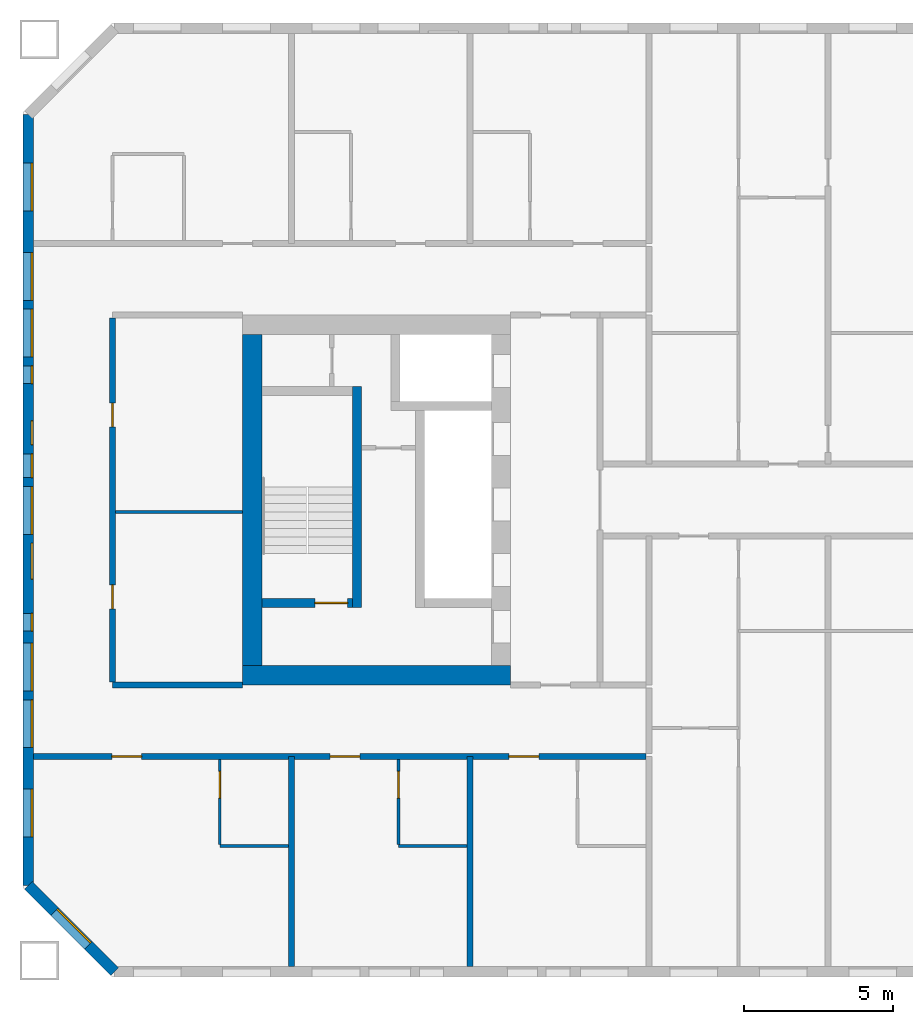
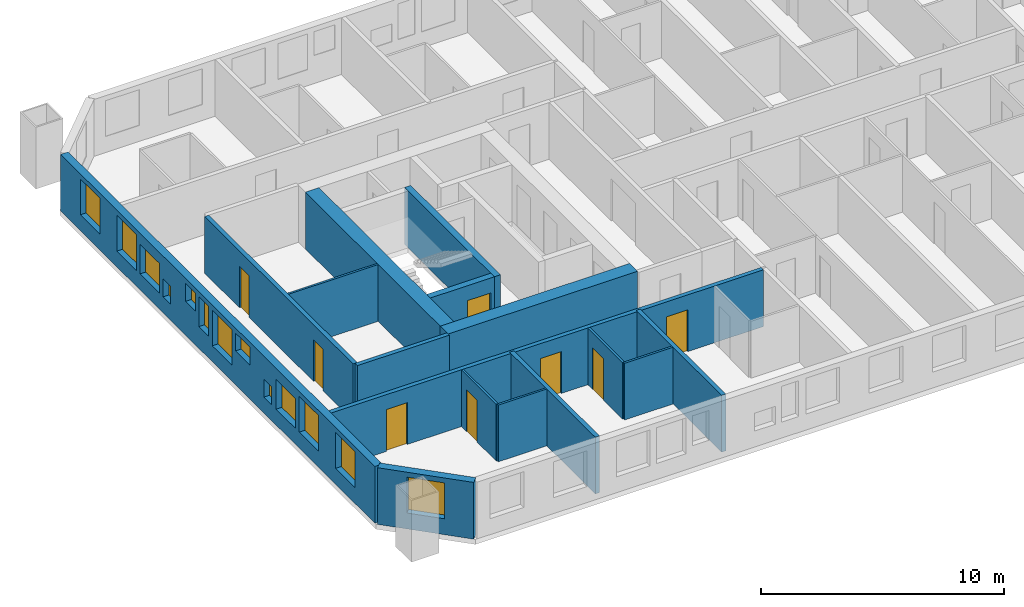
# One storey, part 2 of 17: 16 walls, 13 windows, 8 doors, 21 openings.
"""IFC4 building model written with IfcOpenShell, lengths in metres."""

from ifc_helpers import new_model, si_unit, direction, frame, frame_2d, origin, place, context, subcontext, project, spatial, rectangle, extrude, material, layer, layer_set, type_object, element, fill, save


model = new_model("IFC4")

# Units and contexts
model_context = context("Model", 3, precision=1e-05, world=origin(), true_north=direction((0.0, 1.0)))
body_context = subcontext(model_context, "Body", "Model", "MODEL_VIEW")
ifc_project = project(units=[si_unit("LENGTHUNIT", "METRE"), si_unit("AREAUNIT", "SQUARE_METRE"), si_unit("VOLUMEUNIT", "CUBIC_METRE"), si_unit("PLANEANGLEUNIT", "RADIAN"), si_unit("MASSUNIT", "GRAM", prefix="KILO")], contexts=[model_context])

# Site, building, storey
site_placement = place(None, origin())
site = spatial("IfcSite", under=ifc_project, at=site_placement, CompositionType="ELEMENT")
building_placement = place(site_placement, origin())
building = spatial("IfcBuilding", under=site, at=building_placement, Name="Tuart Gate Housing", CompositionType="ELEMENT")
storey_placement = place(building_placement, frame((0.0, 0.0, 105.699951171875)))
storey = spatial("IfcBuildingStorey", under=building, at=storey_placement, Name="L29", CompositionType="ELEMENT", Elevation=105.699951171875)

# Wall, opening, window
ifc_material_1 = material(Name="Brick", Category="masonry")
ifc_layer_1 = layer(ifc_material_1, 0.360107421875)
ifc_layer_set_1 = layer_set([ifc_layer_1], Name="Brick pier and spandrel wall 360")
wall_type_1 = type_object("IfcWallType", Name="Brick pier and spandrel wall 360", PredefinedType="STANDARD", material=ifc_layer_set_1)
wall_1_placement = place(storey_placement, frame((25.179931640625, 57.07470703125, 0.0), z_axis=(0.0, 0.0, 1.0), x_axis=(0.707106781187, -0.707106781187, 0.0)))
wall_1 = element("IfcWall", 1, at=wall_1_placement, inside=storey, type_object=wall_type_1, Name="External wall A-SW L29", PredefinedType="STANDARD", context=body_context, shape_type="SweptSolid", body=[
    extrude(rectangle(XDim=4.09375, YDim=0.360107421875, at=frame_2d((2.046875, 0.0))), origin(), (0.0, 0.0, 1.0), 2.85009765625),
])
opening_1_placement = place(wall_1_placement, frame((1.2470703125, 0.0, 0.800048828125)))
opening_1 = element("IfcOpeningElement", 2, at=opening_1_placement, cuts=wall_1, Name="Opening W1", PredefinedType="OPENING", context=body_context, shape_type="SweptSolid", body=[
    extrude(rectangle(XDim=1.60009765625, YDim=1.800048828125, at=frame_2d((0.800048828125, 0.89990234375))), frame((0.0, 0.18994140625, 0.0), z_axis=(0.0, -1.0, 0.0), x_axis=(1.0, 0.0, 0.0)), (0.0, 0.0, 1.0), 0.380126953125),
])
ifc_material_2 = material(Name="Aluminium frame with clear glass", Category="aluminium")
window_type_1 = type_object("IfcWindowType", Name="Punched window 1600 x 1800", PartitioningType="SINGLE_PANEL", PredefinedType="WINDOW", material=ifc_material_2)
window_1_placement = place(opening_1_placement, origin())
window_1 = element("IfcWindow", 3, at=window_1_placement, inside=storey, type_object=window_type_1, Name="Window W1", OverallHeight=1.800048828125, OverallWidth=1.60009765625, PartitioningType="SINGLE_PANEL", PredefinedType="WINDOW", context=body_context, shape_type="SweptSolid", body=[
    extrude(rectangle(XDim=1.60009765625, YDim=1.800048828125, at=frame_2d((0.800048828125, 0.89990234375))), frame((0.0, 0.150146484375, 0.0), z_axis=(0.0, -1.0, 0.0), x_axis=(1.0, 0.0, 0.0)), (0.0, 0.0, 1.0), 0.06005859375),
])
fill(opening_1, window_1)

# Wall, openings, windows
wall_2_placement = place(storey_placement, frame((25.179931640625, 82.92529296875, 0.0), z_axis=(0.0, 0.0, 1.0), x_axis=(0.0, -1.0, 0.0)))
wall_2 = element("IfcWall", 4, at=wall_2_placement, inside=storey, type_object=wall_type_1, Name="External wall A-W L29", PredefinedType="STANDARD", context=body_context, shape_type="SweptSolid", body=[
    extrude(rectangle(XDim=25.850830078125, YDim=0.360107421875, at=frame_2d((12.92529296875, 0.0))), origin(), (0.0, 0.0, 1.0), 2.85009765625),
])
opening_2_placement = place(wall_2_placement, frame((1.62548828125, 0.0, 0.800048828125)))
opening_2 = element("IfcOpeningElement", 5, at=opening_2_placement, cuts=wall_2, Name="Opening W1", PredefinedType="OPENING", context=body_context, shape_type="SweptSolid", body=[
    extrude(rectangle(XDim=1.60009765625, YDim=1.800048828125, at=frame_2d((0.800048828125, 0.89990234375))), frame((0.0, 0.18994140625, 0.0), z_axis=(0.0, -1.0, 0.0), x_axis=(1.0, 0.0, 0.0)), (0.0, 0.0, 1.0), 0.380126953125),
])
opening_3_placement = place(wall_2_placement, frame((4.62548828125, 0.0, 0.800048828125)))
opening_3 = element("IfcOpeningElement", 6, at=opening_3_placement, cuts=wall_2, Name="Opening W1", PredefinedType="OPENING", context=body_context, shape_type="SweptSolid", body=[
    extrude(rectangle(XDim=1.60009765625, YDim=1.800048828125, at=frame_2d((0.800048828125, 0.89990234375))), frame((0.0, 0.18994140625, 0.0), z_axis=(0.0, -1.0, 0.0), x_axis=(1.0, 0.0, 0.0)), (0.0, 0.0, 1.0), 0.380126953125),
])
opening_4_placement = place(wall_2_placement, frame((6.525390625, 0.0, 0.800048828125)))
opening_4 = element("IfcOpeningElement", 7, at=opening_4_placement, cuts=wall_2, Name="Opening W1F", PredefinedType="OPENING", context=body_context, shape_type="SweptSolid", body=[
    extrude(rectangle(XDim=1.60009765625, YDim=1.5, at=frame_2d((0.800048828125, 0.75))), frame((0.0, 0.18994140625, 0.0), z_axis=(0.0, -1.0, 0.0), x_axis=(1.0, 0.0, 0.0)), (0.0, 0.0, 1.0), 0.380126953125),
])
opening_5_placement = place(wall_2_placement, frame((8.42529296875, 0.0, 0.800048828125)))
opening_5 = element("IfcOpeningElement", 8, at=opening_5_placement, cuts=wall_2, Name="Opening W1W", PredefinedType="OPENING", context=body_context, shape_type="SweptSolid", body=[
    extrude(rectangle(XDim=0.60009765625, YDim=0.89990234375, at=frame_2d((0.300048828125, 0.449951171875))), frame((0.0, 0.18994140625, 0.0), z_axis=(0.0, -1.0, 0.0), x_axis=(1.0, 0.0, 0.0)), (0.0, 0.0, 1.0), 0.380126953125),
])
opening_6_placement = place(wall_2_placement, frame((10.275390625, 0.0, 1.699951171875)))
opening_6 = element("IfcOpeningElement", 9, at=opening_6_placement, cuts=wall_2, Name="Opening W1V", PredefinedType="OPENING", context=body_context, shape_type="SweptSolid", body=[
    extrude(rectangle(XDim=0.800048828125, YDim=0.89990234375, at=frame_2d((0.39990234375, 0.449951171875))), frame((0.0, 0.18994140625, 0.0), z_axis=(0.0, -1.0, 0.0), x_axis=(1.0, 0.0, 0.0)), (0.0, 0.0, 1.0), 0.380126953125),
])
opening_7_placement = place(wall_2_placement, frame((11.37548828125, 0.0, 1.10009765625)))
opening_7 = element("IfcOpeningElement", 10, at=opening_7_placement, cuts=wall_2, Name="Opening W1J", PredefinedType="OPENING", context=body_context, shape_type="SweptSolid", body=[
    extrude(rectangle(XDim=0.800048828125, YDim=1.5, at=frame_2d((0.39990234375, 0.75))), frame((0.0, 0.18994140625, 0.0), z_axis=(0.0, -1.0, 0.0), x_axis=(1.0, 0.0, 0.0)), (0.0, 0.0, 1.0), 0.380126953125),
])
opening_8_placement = place(wall_2_placement, frame((19.62548828125, 0.0, 0.800048828125)))
opening_8 = element("IfcOpeningElement", 11, at=opening_8_placement, cuts=wall_2, Name="Opening W1", PredefinedType="OPENING", context=body_context, shape_type="SweptSolid", body=[
    extrude(rectangle(XDim=1.60009765625, YDim=1.800048828125, at=frame_2d((0.800048828125, 0.89990234375))), frame((0.0, 0.18994140625, 0.0), z_axis=(0.0, -1.0, 0.0), x_axis=(1.0, 0.0, 0.0)), (0.0, 0.0, 1.0), 0.380126953125),
])
opening_9_placement = place(wall_2_placement, frame((22.62548828125, 0.0, 0.800048828125)))
opening_9 = element("IfcOpeningElement", 12, at=opening_9_placement, cuts=wall_2, Name="Opening W1", PredefinedType="OPENING", context=body_context, shape_type="SweptSolid", body=[
    extrude(rectangle(XDim=1.60009765625, YDim=1.800048828125, at=frame_2d((0.800048828125, 0.89990234375))), frame((0.0, 0.18994140625, 0.0), z_axis=(0.0, -1.0, 0.0), x_axis=(1.0, 0.0, 0.0)), (0.0, 0.0, 1.0), 0.380126953125),
])
opening_10_placement = place(wall_2_placement, frame((12.475341796875, 0.0, 0.800048828125)))
opening_10 = element("IfcOpeningElement", 13, at=opening_10_placement, cuts=wall_2, Name="Opening W1", PredefinedType="OPENING", context=body_context, shape_type="SweptSolid", body=[
    extrude(rectangle(XDim=1.60009765625, YDim=1.800048828125, at=frame_2d((0.800048828125, 0.89990234375))), frame((0.0, 0.18994140625, 0.0), z_axis=(0.0, -1.0, 0.0), x_axis=(1.0, 0.0, 0.0)), (0.0, 0.0, 1.0), 0.380126953125),
])
opening_11_placement = place(wall_2_placement, frame((14.37548828125, 0.0, 1.699951171875)))
opening_11 = element("IfcOpeningElement", 14, at=opening_11_placement, cuts=wall_2, Name="Opening W1T", PredefinedType="OPENING", context=body_context, shape_type="SweptSolid", body=[
    extrude(rectangle(XDim=1.199951171875, YDim=0.89990234375, at=frame_2d((0.60009765625, 0.449951171875))), frame((0.0, 0.18994140625, 0.0), z_axis=(0.0, -1.0, 0.0), x_axis=(1.0, 0.0, 0.0)), (0.0, 0.0, 1.0), 0.380126953125),
])
opening_12_placement = place(wall_2_placement, frame((16.725341796875, 0.0, 0.800048828125)))
opening_12 = element("IfcOpeningElement", 15, at=opening_12_placement, cuts=wall_2, Name="Opening W1W", PredefinedType="OPENING", context=body_context, shape_type="SweptSolid", body=[
    extrude(rectangle(XDim=0.60009765625, YDim=0.89990234375, at=frame_2d((0.300048828125, 0.449951171875))), frame((0.0, 0.18994140625, 0.0), z_axis=(0.0, -1.0, 0.0), x_axis=(1.0, 0.0, 0.0)), (0.0, 0.0, 1.0), 0.380126953125),
])
opening_13_placement = place(wall_2_placement, frame((17.725341796875, 0.0, 0.800048828125)))
opening_13 = element("IfcOpeningElement", 16, at=opening_13_placement, cuts=wall_2, Name="Opening W1F", PredefinedType="OPENING", context=body_context, shape_type="SweptSolid", body=[
    extrude(rectangle(XDim=1.60009765625, YDim=1.5, at=frame_2d((0.800048828125, 0.75))), frame((0.0, 0.18994140625, 0.0), z_axis=(0.0, -1.0, 0.0), x_axis=(1.0, 0.0, 0.0)), (0.0, 0.0, 1.0), 0.380126953125),
])
ifc_material_3 = material(Name="Aluminium frame with clear glass", Category="aluminium")
window_type_2 = type_object("IfcWindowType", Name="Punched window 1200 x 900", PartitioningType="SINGLE_PANEL", PredefinedType="WINDOW", material=ifc_material_3)
window_2_placement = place(opening_11_placement, origin())
window_2 = element("IfcWindow", 17, at=window_2_placement, inside=storey, type_object=window_type_2, Name="Window W1T", OverallHeight=0.89990234375, OverallWidth=1.199951171875, PartitioningType="SINGLE_PANEL", PredefinedType="WINDOW", context=body_context, shape_type="SweptSolid", body=[
    extrude(rectangle(XDim=1.199951171875, YDim=0.89990234375, at=frame_2d((0.60009765625, 0.449951171875))), frame((0.0, 0.150146484375, 0.0), z_axis=(0.0, -1.0, 0.0), x_axis=(1.0, 0.0, 0.0)), (0.0, 0.0, 1.0), 0.06005859375),
])
fill(opening_11, window_2)
ifc_material_4 = material(Name="Aluminium frame with clear glass", Category="aluminium")
window_type_3 = type_object("IfcWindowType", Name="Punched window 1600 x 1500", PartitioningType="SINGLE_PANEL", PredefinedType="WINDOW", material=ifc_material_4)
window_3_placement = place(opening_4_placement, origin())
window_3 = element("IfcWindow", 18, at=window_3_placement, inside=storey, type_object=window_type_3, Name="Window W1F", OverallHeight=1.5, OverallWidth=1.60009765625, PartitioningType="SINGLE_PANEL", PredefinedType="WINDOW", context=body_context, shape_type="SweptSolid", body=[
    extrude(rectangle(XDim=1.60009765625, YDim=1.5, at=frame_2d((0.800048828125, 0.75))), frame((0.0, 0.150146484375, 0.0), z_axis=(0.0, -1.0, 0.0), x_axis=(1.0, 0.0, 0.0)), (0.0, 0.0, 1.0), 0.06005859375),
])
fill(opening_4, window_3)
window_4_placement = place(opening_13_placement, origin())
window_4 = element("IfcWindow", 19, at=window_4_placement, inside=storey, type_object=window_type_3, Name="Window W1F", OverallHeight=1.5, OverallWidth=1.60009765625, PartitioningType="SINGLE_PANEL", PredefinedType="WINDOW", context=body_context, shape_type="SweptSolid", body=[
    extrude(rectangle(XDim=1.60009765625, YDim=1.5, at=frame_2d((0.800048828125, 0.75))), frame((0.0, 0.150146484375, 0.0), z_axis=(0.0, -1.0, 0.0), x_axis=(1.0, 0.0, 0.0)), (0.0, 0.0, 1.0), 0.06005859375),
])
fill(opening_13, window_4)
window_5_placement = place(opening_2_placement, origin())
window_5 = element("IfcWindow", 20, at=window_5_placement, inside=storey, type_object=window_type_1, Name="Window W1", OverallHeight=1.800048828125, OverallWidth=1.60009765625, PartitioningType="SINGLE_PANEL", PredefinedType="WINDOW", context=body_context, shape_type="SweptSolid", body=[
    extrude(rectangle(XDim=1.60009765625, YDim=1.800048828125, at=frame_2d((0.800048828125, 0.89990234375))), frame((0.0, 0.150146484375, 0.0), z_axis=(0.0, -1.0, 0.0), x_axis=(1.0, 0.0, 0.0)), (0.0, 0.0, 1.0), 0.06005859375),
])
fill(opening_2, window_5)
window_6_placement = place(opening_3_placement, origin())
window_6 = element("IfcWindow", 21, at=window_6_placement, inside=storey, type_object=window_type_1, Name="Window W1", OverallHeight=1.800048828125, OverallWidth=1.60009765625, PartitioningType="SINGLE_PANEL", PredefinedType="WINDOW", context=body_context, shape_type="SweptSolid", body=[
    extrude(rectangle(XDim=1.60009765625, YDim=1.800048828125, at=frame_2d((0.800048828125, 0.89990234375))), frame((0.0, 0.150146484375, 0.0), z_axis=(0.0, -1.0, 0.0), x_axis=(1.0, 0.0, 0.0)), (0.0, 0.0, 1.0), 0.06005859375),
])
fill(opening_3, window_6)
window_7_placement = place(opening_8_placement, origin())
window_7 = element("IfcWindow", 22, at=window_7_placement, inside=storey, type_object=window_type_1, Name="Window W1", OverallHeight=1.800048828125, OverallWidth=1.60009765625, PartitioningType="SINGLE_PANEL", PredefinedType="WINDOW", context=body_context, shape_type="SweptSolid", body=[
    extrude(rectangle(XDim=1.60009765625, YDim=1.800048828125, at=frame_2d((0.800048828125, 0.89990234375))), frame((0.0, 0.150146484375, 0.0), z_axis=(0.0, -1.0, 0.0), x_axis=(1.0, 0.0, 0.0)), (0.0, 0.0, 1.0), 0.06005859375),
])
fill(opening_8, window_7)
window_8_placement = place(opening_9_placement, origin())
window_8 = element("IfcWindow", 23, at=window_8_placement, inside=storey, type_object=window_type_1, Name="Window W1", OverallHeight=1.800048828125, OverallWidth=1.60009765625, PartitioningType="SINGLE_PANEL", PredefinedType="WINDOW", context=body_context, shape_type="SweptSolid", body=[
    extrude(rectangle(XDim=1.60009765625, YDim=1.800048828125, at=frame_2d((0.800048828125, 0.89990234375))), frame((0.0, 0.150146484375, 0.0), z_axis=(0.0, -1.0, 0.0), x_axis=(1.0, 0.0, 0.0)), (0.0, 0.0, 1.0), 0.06005859375),
])
fill(opening_9, window_8)
window_9_placement = place(opening_10_placement, origin())
window_9 = element("IfcWindow", 24, at=window_9_placement, inside=storey, type_object=window_type_1, Name="Window W1", OverallHeight=1.800048828125, OverallWidth=1.60009765625, PartitioningType="SINGLE_PANEL", PredefinedType="WINDOW", context=body_context, shape_type="SweptSolid", body=[
    extrude(rectangle(XDim=1.60009765625, YDim=1.800048828125, at=frame_2d((0.800048828125, 0.89990234375))), frame((0.0, 0.150146484375, 0.0), z_axis=(0.0, -1.0, 0.0), x_axis=(1.0, 0.0, 0.0)), (0.0, 0.0, 1.0), 0.06005859375),
])
fill(opening_10, window_9)
ifc_material_5 = material(Name="Aluminium frame with clear glass", Category="aluminium")
window_type_4 = type_object("IfcWindowType", Name="Punched window 600 x 900", PartitioningType="SINGLE_PANEL", PredefinedType="WINDOW", material=ifc_material_5)
window_10_placement = place(opening_5_placement, origin())
window_10 = element("IfcWindow", 25, at=window_10_placement, inside=storey, type_object=window_type_4, Name="Window W1W", OverallHeight=0.89990234375, OverallWidth=0.60009765625, PartitioningType="SINGLE_PANEL", PredefinedType="WINDOW", context=body_context, shape_type="SweptSolid", body=[
    extrude(rectangle(XDim=0.60009765625, YDim=0.89990234375, at=frame_2d((0.300048828125, 0.449951171875))), frame((0.0, 0.150146484375, 0.0), z_axis=(0.0, -1.0, 0.0), x_axis=(1.0, 0.0, 0.0)), (0.0, 0.0, 1.0), 0.06005859375),
])
fill(opening_5, window_10)
window_11_placement = place(opening_12_placement, origin())
window_11 = element("IfcWindow", 26, at=window_11_placement, inside=storey, type_object=window_type_4, Name="Window W1W", OverallHeight=0.89990234375, OverallWidth=0.60009765625, PartitioningType="SINGLE_PANEL", PredefinedType="WINDOW", context=body_context, shape_type="SweptSolid", body=[
    extrude(rectangle(XDim=0.60009765625, YDim=0.89990234375, at=frame_2d((0.300048828125, 0.449951171875))), frame((0.0, 0.150146484375, 0.0), z_axis=(0.0, -1.0, 0.0), x_axis=(1.0, 0.0, 0.0)), (0.0, 0.0, 1.0), 0.06005859375),
])
fill(opening_12, window_11)
ifc_material_6 = material(Name="Aluminium frame with clear glass", Category="aluminium")
window_type_5 = type_object("IfcWindowType", Name="Punched window 800 x 1500", PartitioningType="SINGLE_PANEL", PredefinedType="WINDOW", material=ifc_material_6)
window_12_placement = place(opening_7_placement, origin())
window_12 = element("IfcWindow", 27, at=window_12_placement, inside=storey, type_object=window_type_5, Name="Window W1J", OverallHeight=1.5, OverallWidth=0.800048828125, PartitioningType="SINGLE_PANEL", PredefinedType="WINDOW", context=body_context, shape_type="SweptSolid", body=[
    extrude(rectangle(XDim=0.800048828125, YDim=1.5, at=frame_2d((0.39990234375, 0.75))), frame((0.0, 0.150146484375, 0.0), z_axis=(0.0, -1.0, 0.0), x_axis=(1.0, 0.0, 0.0)), (0.0, 0.0, 1.0), 0.06005859375),
])
fill(opening_7, window_12)
ifc_material_7 = material(Name="Aluminium frame with clear glass", Category="aluminium")
window_type_6 = type_object("IfcWindowType", Name="Punched window 800 x 900", PartitioningType="SINGLE_PANEL", PredefinedType="WINDOW", material=ifc_material_7)
window_13_placement = place(opening_6_placement, origin())
window_13 = element("IfcWindow", 28, at=window_13_placement, inside=storey, type_object=window_type_6, Name="Window W1V", OverallHeight=0.89990234375, OverallWidth=0.800048828125, PartitioningType="SINGLE_PANEL", PredefinedType="WINDOW", context=body_context, shape_type="SweptSolid", body=[
    extrude(rectangle(XDim=0.800048828125, YDim=0.89990234375, at=frame_2d((0.39990234375, 0.449951171875))), frame((0.0, 0.150146484375, 0.0), z_axis=(0.0, -1.0, 0.0), x_axis=(1.0, 0.0, 0.0)), (0.0, 0.0, 1.0), 0.06005859375),
])
fill(opening_6, window_13)

# Wall, opening, door
ifc_material_8 = material(Name="Concrete C50", Category="concrete")
ifc_layer_2 = layer(ifc_material_8, 0.300048828125)
ifc_layer_set_2 = layer_set([ifc_layer_2], Name="Core wall 300 C50")
wall_type_2 = type_object("IfcWallType", Name="Core wall 300 C50", PredefinedType="SHEAR", material=ifc_layer_set_2)
wall_3_placement = place(storey_placement, frame((36.06005859375, 66.550048828125, 0.0), z_axis=(0.0, 0.0, 1.0), x_axis=(-1.0, 0.0, 0.0)))
wall_3 = element("IfcWall", 29, at=wall_3_placement, inside=storey, type_object=wall_type_2, Name="Core wall AK.5", PredefinedType="SHEAR", context=body_context, shape_type="SweptSolid", body=[
    extrude(rectangle(XDim=3.050048828125, YDim=0.300048828125, at=frame_2d((1.52490234375, 0.0))), origin(), (0.0, 0.0, 1.0), 2.85009765625),
])
opening_14_placement = place(wall_3_placement, frame((0.169921875, 0.0, 0.0)))
opening_14 = element("IfcOpeningElement", 30, at=opening_14_placement, cuts=wall_3, Name="Opening D1215", PredefinedType="OPENING", context=body_context, shape_type="SweptSolid", body=[
    extrude(rectangle(XDim=1.10009765625, YDim=2.10009765625, at=frame_2d((0.550048828125, 1.050048828125))), frame((0.0, 0.159912109375, 0.0), z_axis=(0.0, -1.0, 0.0), x_axis=(1.0, 0.0, 0.0)), (0.0, 0.0, 1.0), 0.320068359375),
])
ifc_material_9 = material(Name="Steel fire door", Category="steel")
door_type_1 = type_object("IfcDoorType", Name="Stair door 1100 x 2100 RH", OperationType="SINGLE_SWING_RIGHT", PredefinedType="DOOR", material=ifc_material_9)
door_1_placement = place(opening_14_placement, frame((1.10009765625, 0.0, 0.0), z_axis=(0.0, 0.0, 1.0), x_axis=(-1.0, 0.0, 0.0)))
door_1 = element("IfcDoor", 31, at=door_1_placement, inside=storey, type_object=door_type_1, Name="Stair door AK.SD", OperationType="SINGLE_SWING_RIGHT", OverallHeight=2.10009765625, OverallWidth=1.10009765625, PredefinedType="DOOR", context=body_context, shape_type="SweptSolid", body=[
    extrude(rectangle(XDim=1.10009765625, YDim=2.10009765625, at=frame_2d((0.550048828125, 1.050048828125))), frame((0.0, 0.025146484375, 0.0), z_axis=(0.0, -1.0, 0.0), x_axis=(1.0, 0.0, 0.0)), (0.0, 0.0, 1.0), 0.050048828125),
])
fill(opening_14, door_1)

# Walls
wall_4_placement = place(storey_placement, frame((36.2099609375, 73.800048828125, 0.0), z_axis=(0.0, 0.0, 1.0), x_axis=(0.0, -1.0, 0.0)))
element("IfcWall", 32, at=wall_4_placement, inside=storey, type_object=wall_type_2, Name="Core wall AK.8", PredefinedType="SHEAR", context=body_context, shape_type="SweptSolid", body=[
    extrude(rectangle(XDim=7.400146484375, YDim=0.300048828125, at=frame_2d((3.7001953125, 0.0))), origin(), (0.0, 0.0, 1.0), 2.85009765625),
])
ifc_material_10 = material(Name="Concrete C50", Category="concrete")
ifc_layer_3 = layer(ifc_material_10, 0.64990234375)
ifc_layer_set_3 = layer_set([ifc_layer_3], Name="Core wall 650 C50")
wall_type_3 = type_object("IfcWallType", Name="Core wall 650 C50", PredefinedType="SHEAR", material=ifc_layer_set_3)
wall_5_placement = place(storey_placement, frame((32.68505859375, 75.550048828125, 0.0), z_axis=(0.0, 0.0, 1.0), x_axis=(0.0, -1.0, 0.0)))
element("IfcWall", 33, at=wall_5_placement, inside=storey, type_object=wall_type_3, Name="Core wall AK back", PredefinedType="SHEAR", context=body_context, shape_type="SweptSolid", body=[
    extrude(rectangle(XDim=11.10009765625, YDim=0.64990234375, at=frame_2d((5.550048828125, 0.0))), origin(), (0.0, 0.0, 1.0), 2.85009765625),
])
wall_6_placement = place(storey_placement, frame((41.360107421875, 64.125, 0.0), z_axis=(0.0, 0.0, 1.0), x_axis=(-1.0, 0.0, 0.0)))
element("IfcWall", 34, at=wall_6_placement, inside=storey, type_object=wall_type_3, Name="Core wall AK north", PredefinedType="SHEAR", context=body_context, shape_type="SweptSolid", body=[
    extrude(rectangle(XDim=9.0, YDim=0.64990234375, at=frame_2d((4.5, 0.0))), origin(), (0.0, 0.0, 1.0), 2.85009765625),
])

# Wall, openings, doors
ifc_material_11 = material(Name="Concrete masonry 15 MPa", Category="masonry")
ifc_layer_4 = layer(ifc_material_11, 0.199951171875)
ifc_layer_set_4 = layer_set([ifc_layer_4], Name="Corridor wall masonry 200")
wall_type_4 = type_object("IfcWallType", Name="Corridor wall masonry 200", PredefinedType="PARTITIONING", material=ifc_layer_set_4)
wall_7_placement = place(storey_placement, frame((25.360107421875, 61.39990234375, 0.0), z_axis=(0.0, 0.0, 1.0), x_axis=(1.0, 0.0, 0.0)))
wall_7 = element("IfcWall", 35, at=wall_7_placement, inside=storey, type_object=wall_type_4, Name="Corridor wall masonry 200", PredefinedType="PARTITIONING", context=body_context, shape_type="SweptSolid", body=[
    extrude(rectangle(XDim=20.539794921875, YDim=0.199951171875, at=frame_2d((10.27001953125, 0.0))), origin(), (0.0, 0.0, 1.0), 2.85009765625),
])
opening_15_placement = place(wall_7_placement, frame((15.93994140625, 0.0, 0.0)))
opening_15 = element("IfcOpeningElement", 36, at=opening_15_placement, cuts=wall_7, Name="Opening D1226", PredefinedType="OPENING", context=body_context, shape_type="SweptSolid", body=[
    extrude(rectangle(XDim=1.0, YDim=2.10009765625, at=frame_2d((0.5, 1.050048828125))), frame((0.0, 0.10986328125, 0.0), z_axis=(0.0, -1.0, 0.0), x_axis=(1.0, 0.0, 0.0)), (0.0, 0.0, 1.0), 0.219970703125),
])
opening_16_placement = place(wall_7_placement, frame((9.93994140625, 0.0, 0.0)))
opening_16 = element("IfcOpeningElement", 37, at=opening_16_placement, cuts=wall_7, Name="Opening D1227", PredefinedType="OPENING", context=body_context, shape_type="SweptSolid", body=[
    extrude(rectangle(XDim=1.0, YDim=2.10009765625, at=frame_2d((0.5, 1.050048828125))), frame((0.0, 0.10986328125, 0.0), z_axis=(0.0, -1.0, 0.0), x_axis=(1.0, 0.0, 0.0)), (0.0, 0.0, 1.0), 0.219970703125),
])
opening_17_placement = place(wall_7_placement, frame((2.6201171875, 0.0, 0.0)))
opening_17 = element("IfcOpeningElement", 38, at=opening_17_placement, cuts=wall_7, Name="Opening D1228", PredefinedType="OPENING", context=body_context, shape_type="SweptSolid", body=[
    extrude(rectangle(XDim=1.0, YDim=2.10009765625, at=frame_2d((0.5, 1.050048828125))), frame((0.0, 0.10986328125, 0.0), z_axis=(0.0, -1.0, 0.0), x_axis=(1.0, 0.0, 0.0)), (0.0, 0.0, 1.0), 0.219970703125),
])
ifc_material_12 = material(Name="Timber door leaf in steel frame", Category="steel")
door_type_2 = type_object("IfcDoorType", Name="Flat entrance door 1000 RH", OperationType="SINGLE_SWING_RIGHT", PredefinedType="DOOR", material=ifc_material_12)
door_2_placement = place(opening_15_placement, frame((1.0, 0.0, 0.0), z_axis=(0.0, 0.0, 1.0), x_axis=(-1.0, 0.0, 0.0)))
door_2 = element("IfcDoor", 39, at=door_2_placement, inside=storey, type_object=door_type_2, Name="Flat entrance door", OperationType="SINGLE_SWING_RIGHT", OverallHeight=2.10009765625, OverallWidth=1.0, PredefinedType="DOOR", context=body_context, shape_type="SweptSolid", body=[
    extrude(rectangle(XDim=1.0, YDim=2.10009765625, at=frame_2d((0.5, 1.050048828125))), frame((0.0, 0.025146484375, 0.0), z_axis=(0.0, -1.0, 0.0), x_axis=(1.0, 0.0, 0.0)), (0.0, 0.0, 1.0), 0.050048828125),
])
fill(opening_15, door_2)
door_3_placement = place(opening_16_placement, frame((1.0, 0.0, 0.0), z_axis=(0.0, 0.0, 1.0), x_axis=(-1.0, 0.0, 0.0)))
door_3 = element("IfcDoor", 40, at=door_3_placement, inside=storey, type_object=door_type_2, Name="Flat entrance door", OperationType="SINGLE_SWING_RIGHT", OverallHeight=2.10009765625, OverallWidth=1.0, PredefinedType="DOOR", context=body_context, shape_type="SweptSolid", body=[
    extrude(rectangle(XDim=1.0, YDim=2.10009765625, at=frame_2d((0.5, 1.050048828125))), frame((0.0, 0.025146484375, 0.0), z_axis=(0.0, -1.0, 0.0), x_axis=(1.0, 0.0, 0.0)), (0.0, 0.0, 1.0), 0.050048828125),
])
fill(opening_16, door_3)
door_4_placement = place(opening_17_placement, frame((1.0, 0.0, 0.0), z_axis=(0.0, 0.0, 1.0), x_axis=(-1.0, 0.0, 0.0)))
door_4 = element("IfcDoor", 41, at=door_4_placement, inside=storey, type_object=door_type_2, Name="Flat entrance door", OperationType="SINGLE_SWING_RIGHT", OverallHeight=2.10009765625, OverallWidth=1.0, PredefinedType="DOOR", context=body_context, shape_type="SweptSolid", body=[
    extrude(rectangle(XDim=1.0, YDim=2.10009765625, at=frame_2d((0.5, 1.050048828125))), frame((0.0, 0.025146484375, 0.0), z_axis=(0.0, -1.0, 0.0), x_axis=(1.0, 0.0, 0.0)), (0.0, 0.0, 1.0), 0.050048828125),
])
fill(opening_17, door_4)

# Wall
wall_8_placement = place(storey_placement, frame((28.0, 63.800048828125, 0.0), z_axis=(0.0, 0.0, 1.0), x_axis=(1.0, 0.0, 0.0)))
element("IfcWall", 42, at=wall_8_placement, inside=storey, type_object=wall_type_4, Name="Corridor wall masonry 200", PredefinedType="PARTITIONING", context=body_context, shape_type="SweptSolid", body=[
    extrude(rectangle(XDim=4.360107421875, YDim=0.199951171875, at=frame_2d((2.18017578125, 0.0))), origin(), (0.0, 0.0, 1.0), 2.85009765625),
])

# Wall, openings, doors
wall_9_placement = place(storey_placement, frame((28.0, 63.89990234375, 0.0), z_axis=(0.0, 0.0, 1.0), x_axis=(0.0, 1.0, 0.0)))
wall_9 = element("IfcWall", 43, at=wall_9_placement, inside=storey, type_object=wall_type_4, Name="Corridor wall masonry 200", PredefinedType="PARTITIONING", context=body_context, shape_type="SweptSolid", body=[
    extrude(rectangle(XDim=12.2001953125, YDim=0.199951171875, at=frame_2d((6.10009765625, 0.0))), origin(), (0.0, 0.0, 1.0), 2.85009765625),
])
opening_18_placement = place(wall_9_placement, frame((2.449951171875, 0.0, 0.0)))
opening_18 = element("IfcOpeningElement", 44, at=opening_18_placement, cuts=wall_9, Name="Opening D1205", PredefinedType="OPENING", context=body_context, shape_type="SweptSolid", body=[
    extrude(rectangle(XDim=0.800048828125, YDim=2.10009765625, at=frame_2d((0.39990234375, 1.050048828125))), frame((0.0, 0.10986328125, 0.0), z_axis=(0.0, -1.0, 0.0), x_axis=(1.0, 0.0, 0.0)), (0.0, 0.0, 1.0), 0.219970703125),
])
opening_19_placement = place(wall_9_placement, frame((8.550048828125, 0.0, 0.0)))
opening_19 = element("IfcOpeningElement", 45, at=opening_19_placement, cuts=wall_9, Name="Opening D1206", PredefinedType="OPENING", context=body_context, shape_type="SweptSolid", body=[
    extrude(rectangle(XDim=0.800048828125, YDim=2.10009765625, at=frame_2d((0.39990234375, 1.050048828125))), frame((0.0, 0.10986328125, 0.0), z_axis=(0.0, -1.0, 0.0), x_axis=(1.0, 0.0, 0.0)), (0.0, 0.0, 1.0), 0.219970703125),
])
ifc_material_13 = material(Name="Timber door leaf in steel frame", Category="steel")
door_type_3 = type_object("IfcDoorType", Name="Store door 800", OperationType="SINGLE_SWING_LEFT", PredefinedType="DOOR", material=ifc_material_13)
door_5_placement = place(opening_18_placement, frame((0.800048828125, 0.0, 0.0), z_axis=(0.0, 0.0, 1.0), x_axis=(-1.0, 0.0, 0.0)))
door_5 = element("IfcDoor", 46, at=door_5_placement, inside=storey, type_object=door_type_3, Name="Store door", OperationType="SINGLE_SWING_LEFT", OverallHeight=2.10009765625, OverallWidth=0.800048828125, PredefinedType="DOOR", context=body_context, shape_type="SweptSolid", body=[
    extrude(rectangle(XDim=0.800048828125, YDim=2.10009765625, at=frame_2d((0.400146484375, 1.050048828125))), frame((0.0, 0.025146484375, 0.0), z_axis=(0.0, -1.0, 0.0), x_axis=(1.0, 0.0, 0.0)), (0.0, 0.0, 1.0), 0.050048828125),
])
fill(opening_18, door_5)
ifc_material_14 = material(Name="Timber door leaf in steel frame", Category="steel")
door_type_4 = type_object("IfcDoorType", Name="Store door 800 RH", OperationType="SINGLE_SWING_RIGHT", PredefinedType="DOOR", material=ifc_material_14)
door_6_placement = place(opening_19_placement, frame((0.800048828125, 0.0, 0.0), z_axis=(0.0, 0.0, 1.0), x_axis=(-1.0, 0.0, 0.0)))
door_6 = element("IfcDoor", 47, at=door_6_placement, inside=storey, type_object=door_type_4, Name="Store door", OperationType="SINGLE_SWING_RIGHT", OverallHeight=2.10009765625, OverallWidth=0.800048828125, PredefinedType="DOOR", context=body_context, shape_type="SweptSolid", body=[
    extrude(rectangle(XDim=0.800048828125, YDim=2.10009765625, at=frame_2d((0.400146484375, 1.050048828125))), frame((0.0, 0.025146484375, 0.0), z_axis=(0.0, -1.0, 0.0), x_axis=(1.0, 0.0, 0.0)), (0.0, 0.0, 1.0), 0.050048828125),
])
fill(opening_19, door_6)

# Walls
ifc_material_15 = material(Name="Gypsum board on steel studs", Category="steel")
ifc_layer_5 = layer(ifc_material_15, 0.10009765625)
ifc_layer_set_5 = layer_set([ifc_layer_5], Name="Partition 100")
wall_type_5 = type_object("IfcWallType", Name="Partition 100", PredefinedType="PARTITIONING", material=ifc_layer_set_5)
for number, where, z_axis, x_axis, name in (
    (48, (31.60009765625, 58.39990234375, 0.0), (0.0, 0.0, 1.0), (1.0, 0.0, 0.0), "Partition 100"),
    (49, (37.60009765625, 58.39990234375, 0.0), (0.0, 0.0, 1.0), (1.0, 0.0, 0.0), "Partition 100"),
):
    element("IfcWall", number, at=place(storey_placement, frame(where, z_axis=z_axis, x_axis=x_axis)), inside=storey, type_object=wall_type_5, Name=name, PredefinedType="PARTITIONING", context=body_context, shape_type="SweptSolid", body=[
        extrude(rectangle(XDim=2.2998046875, YDim=0.10009765625, at=frame_2d((1.14990234375, 0.0))), origin(), (0.0, 0.0, 1.0), 2.85009765625),
    ])
wall_10_placement = place(storey_placement, frame((28.10009765625, 69.60009765625, 0.0), z_axis=(0.0, 0.0, 1.0), x_axis=(1.0, 0.0, 0.0)))
element("IfcWall", 50, at=wall_10_placement, inside=storey, type_object=wall_type_5, Name="Partition 100", PredefinedType="PARTITIONING", context=body_context, shape_type="SweptSolid", body=[
    extrude(rectangle(XDim=4.260009765625, YDim=0.10009765625, at=frame_2d((2.1298828125, 0.0))), origin(), (0.0, 0.0, 1.0), 2.85009765625),
])

# Wall, opening, door
wall_11_placement = place(storey_placement, frame((31.60009765625, 58.449951171875, 0.0), z_axis=(0.0, 0.0, 1.0), x_axis=(0.0, 1.0, 0.0)))
wall_11 = element("IfcWall", 51, at=wall_11_placement, inside=storey, type_object=wall_type_5, Name="Partition 100", PredefinedType="PARTITIONING", context=body_context, shape_type="SweptSolid", body=[
    extrude(rectangle(XDim=2.85009765625, YDim=0.10009765625, at=frame_2d((1.425048828125, 0.0))), origin(), (0.0, 0.0, 1.0), 2.85009765625),
])
opening_20_placement = place(wall_11_placement, frame((1.550048828125, 0.0, 0.0)))
opening_20 = element("IfcOpeningElement", 52, at=opening_20_placement, cuts=wall_11, Name="Opening D1232", PredefinedType="OPENING", context=body_context, shape_type="SweptSolid", body=[
    extrude(rectangle(XDim=0.89990234375, YDim=2.10009765625, at=frame_2d((0.449951171875, 1.050048828125))), frame((0.0, 0.06005859375, 0.0), z_axis=(0.0, -1.0, 0.0), x_axis=(1.0, 0.0, 0.0)), (0.0, 0.0, 1.0), 0.1201171875),
])
ifc_material_16 = material(Name="Timber door leaf in steel frame", Category="steel")
door_type_5 = type_object("IfcDoorType", Name="Bathroom door 900", OperationType="SINGLE_SWING_LEFT", PredefinedType="DOOR", material=ifc_material_16)
door_7_placement = place(opening_20_placement, frame((0.89990234375, 0.0, 0.0), z_axis=(0.0, 0.0, 1.0), x_axis=(-1.0, 0.0, 0.0)))
door_7 = element("IfcDoor", 53, at=door_7_placement, inside=storey, type_object=door_type_5, Name="Bathroom door", OperationType="SINGLE_SWING_LEFT", OverallHeight=2.10009765625, OverallWidth=0.89990234375, PredefinedType="DOOR", context=body_context, shape_type="SweptSolid", body=[
    extrude(rectangle(XDim=0.89990234375, YDim=2.10009765625, at=frame_2d((0.449951171875, 1.050048828125))), frame((0.0, 0.025146484375, 0.0), z_axis=(0.0, -1.0, 0.0), x_axis=(1.0, 0.0, 0.0)), (0.0, 0.0, 1.0), 0.050048828125),
])
fill(opening_20, door_7)

wall_12_placement = place(storey_placement, frame((37.60009765625, 58.449951171875, 0.0), z_axis=(0.0, 0.0, 1.0), x_axis=(0.0, 1.0, 0.0)))
wall_12 = element("IfcWall", 54, at=wall_12_placement, inside=storey, type_object=wall_type_5, Name="Partition 100", PredefinedType="PARTITIONING", context=body_context, shape_type="SweptSolid", body=[
    extrude(rectangle(XDim=2.85009765625, YDim=0.10009765625, at=frame_2d((1.425048828125, 0.0))), origin(), (0.0, 0.0, 1.0), 2.85009765625),
])
opening_21_placement = place(wall_12_placement, frame((1.550048828125, 0.0, 0.0)))
opening_21 = element("IfcOpeningElement", 55, at=opening_21_placement, cuts=wall_12, Name="Opening D1233", PredefinedType="OPENING", context=body_context, shape_type="SweptSolid", body=[
    extrude(rectangle(XDim=0.89990234375, YDim=2.10009765625, at=frame_2d((0.449951171875, 1.050048828125))), frame((0.0, 0.06005859375, 0.0), z_axis=(0.0, -1.0, 0.0), x_axis=(1.0, 0.0, 0.0)), (0.0, 0.0, 1.0), 0.1201171875),
])
door_8_placement = place(opening_21_placement, frame((0.89990234375, 0.0, 0.0), z_axis=(0.0, 0.0, 1.0), x_axis=(-1.0, 0.0, 0.0)))
door_8 = element("IfcDoor", 56, at=door_8_placement, inside=storey, type_object=door_type_5, Name="Bathroom door", OperationType="SINGLE_SWING_LEFT", OverallHeight=2.10009765625, OverallWidth=0.89990234375, PredefinedType="DOOR", context=body_context, shape_type="SweptSolid", body=[
    extrude(rectangle(XDim=0.89990234375, YDim=2.10009765625, at=frame_2d((0.449951171875, 1.050048828125))), frame((0.0, 0.025146484375, 0.0), z_axis=(0.0, -1.0, 0.0), x_axis=(1.0, 0.0, 0.0)), (0.0, 0.0, 1.0), 0.050048828125),
])
fill(opening_21, door_8)

# Walls
ifc_material_17 = material(Name="Concrete C40", Category="concrete")
ifc_layer_6 = layer(ifc_material_17, 0.199951171875)
ifc_layer_set_6 = layer_set([ifc_layer_6], Name="Party wall concrete C40 200")
wall_type_6 = type_object("IfcWallType", Name="Party wall concrete C40 200", PredefinedType="SOLIDWALL", material=ifc_layer_set_6)
for number, where, z_axis, x_axis, name in (
    (57, (34.0, 54.360107421875, 0.0), (0.0, 0.0, 1.0), (0.0, 1.0, 0.0), "Party wall concrete C40 200"),
    (58, (40.0, 54.360107421875, 0.0), (0.0, 0.0, 1.0), (0.0, 1.0, 0.0), "Party wall concrete C40 200"),
):
    element("IfcWall", number, at=place(storey_placement, frame(where, z_axis=z_axis, x_axis=x_axis)), inside=storey, type_object=wall_type_6, Name=name, PredefinedType="SOLIDWALL", context=body_context, shape_type="SweptSolid", body=[
        extrude(rectangle(XDim=7.039794921875, YDim=0.199951171875, at=frame_2d((3.52001953125, 0.0))), origin(), (0.0, 0.0, 1.0), 2.85009765625),
    ])

save(model, "model.ifc")
